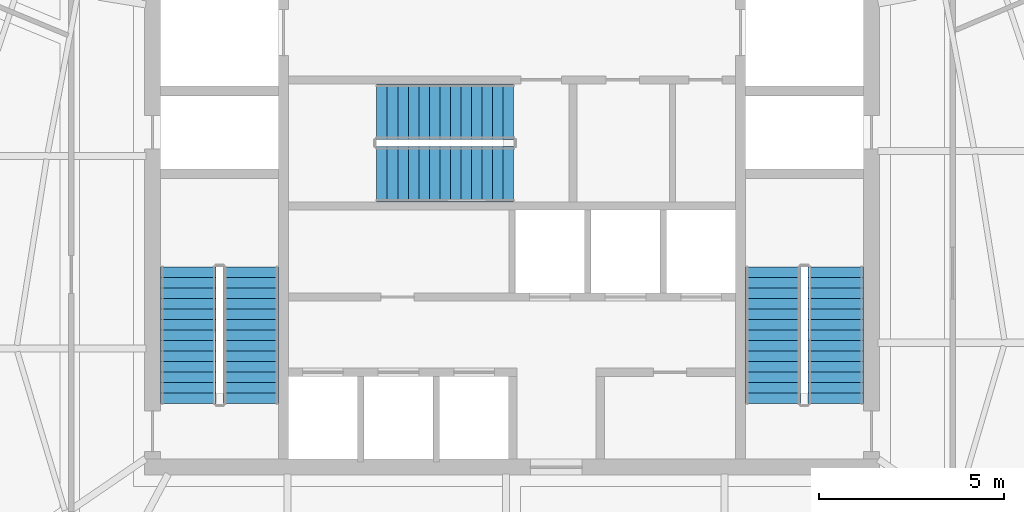
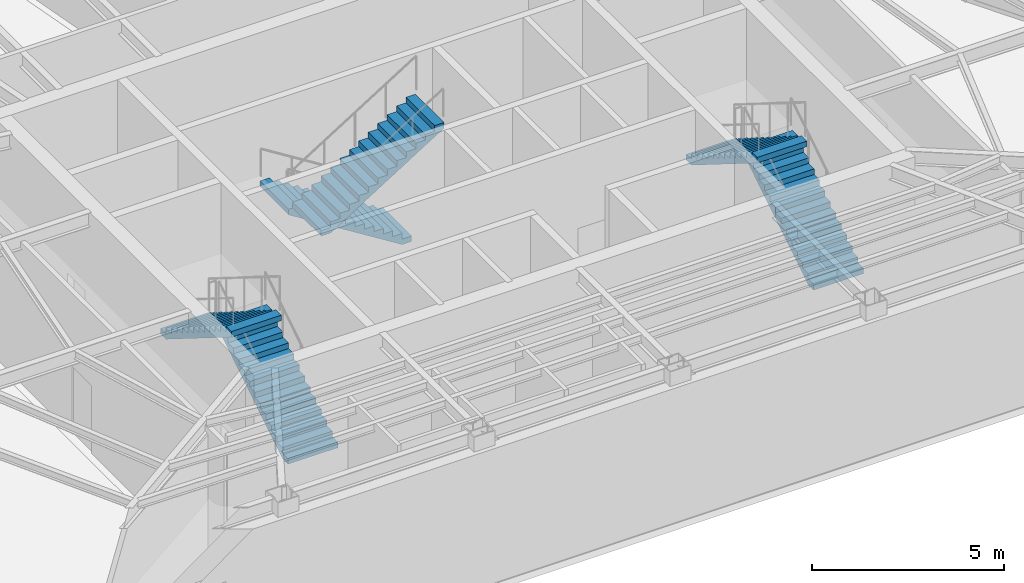
# One storey, part 12 of 14: 6 stair flights, 3 elements without a shape of their own.
"""IFC4 building model written with IfcOpenShell, lengths in metres."""

from ifc_helpers import new_model, si_unit, direction, frame, origin, place, context, subcontext, project, spatial, polyline, outline, extrude, material, type_object, element, aggregate, save


model = new_model("IFC4")

# Units and contexts
model_context = context("Model", 3, precision=1e-05, world=origin(), true_north=direction((0.0, 1.0)))
body_context = subcontext(model_context, "Body", "Model", "MODEL_VIEW")
ifc_project = project(units=[si_unit("LENGTHUNIT", "METRE"), si_unit("AREAUNIT", "SQUARE_METRE"), si_unit("VOLUMEUNIT", "CUBIC_METRE"), si_unit("PLANEANGLEUNIT", "RADIAN"), si_unit("MASSUNIT", "GRAM", prefix="KILO")], contexts=[model_context])

# Site, building, storey
site_placement = place(None, origin())
site = spatial("IfcSite", under=ifc_project, at=site_placement, CompositionType="ELEMENT")
building_placement = place(site_placement, origin())
building = spatial("IfcBuilding", under=site, at=building_placement, Name="Kavelnor Concourse Tower", CompositionType="ELEMENT")
storey_placement = place(building_placement, frame((0.0, 0.0, 160.0)))
storey = spatial("IfcBuildingStorey", under=building, at=storey_placement, Name="L40", CompositionType="ELEMENT", Elevation=160.0)

# Stair, stair flights
ifc_material = material(Name="Concrete C40/50", Category="concrete")
stair_type = type_object("IfcStairType", Name="STR-CORE-1500", PredefinedType="HALF_TURN_STAIR", material=ifc_material)
stair_1_placement = place(storey_placement, origin())
stair_1 = element("IfcStair", 1, at=stair_1_placement, inside=storey, type_object=stair_type, Name="L40 ST1", PredefinedType="HALF_TURN_STAIR")
stair_flight_type = type_object("IfcStairFlightType", Name="STR-FLIGHT-1500", PredefinedType="STRAIGHT", material=ifc_material)
stair_flight_1_placement = place(storey_placement, frame((30.929931640625, 11.10009765625, 0.0), z_axis=(0.0, 0.0, 1.0), x_axis=(0.0, 1.0, 0.0)))
stair_flight_1 = element("IfcStairFlight", 2, at=stair_flight_1_placement, type_object=stair_flight_type, Name="ST1 flight 1", NumberOfRisers=14, NumberOfTreads=13, PredefinedType="STRAIGHT", RiserHeight=0.178571429, TreadLength=0.285, context=body_context, shape_type="SweptSolid", body=[
    extrude(outline(polyline([(0.0, 0.0), (0.0, 0.178466796875), (0.284912109375, 0.178466796875), (0.284912109375, 0.357177734375), (0.570068359375, 0.357177734375), (0.570068359375, 0.53564453125), (0.85498046875, 0.53564453125), (0.85498046875, 0.71435546875), (1.139892578125, 0.71435546875), (1.139892578125, 0.892822265625), (1.425048828125, 0.892822265625), (1.425048828125, 1.071533203125), (1.7099609375, 1.071533203125), (1.7099609375, 1.25), (1.9951171875, 1.25), (1.9951171875, 1.428466796875), (2.280029296875, 1.428466796875), (2.280029296875, 1.607177734375), (2.56494140625, 1.607177734375), (2.56494140625, 1.78564453125), (2.85009765625, 1.78564453125), (2.85009765625, 1.96435546875), (3.135009765625, 1.96435546875), (3.135009765625, 2.142822265625), (3.419921875, 2.142822265625), (3.419921875, 2.321533203125), (3.705078125, 2.321533203125), (3.705078125, 2.5), (3.705078125, 2.14453125), (0.2822265625, 0.0), (0.0, 0.0)])), frame((0.0, 0.75, 0.0), z_axis=(0.0, -1.0, 0.0), x_axis=(1.0, 0.0, 0.0)), (0.0, 0.0, 1.0), 1.5),
])
stair_flight_2_placement = place(storey_placement, frame((29.22998046875, 14.804931640625, 2.5), z_axis=(0.0, 0.0, 1.0), x_axis=(0.0, -1.0, 0.0)))
stair_flight_2 = element("IfcStairFlight", 3, at=stair_flight_2_placement, type_object=stair_flight_type, Name="ST1 flight 2", NumberOfRisers=14, NumberOfTreads=13, PredefinedType="STRAIGHT", RiserHeight=0.178571429, TreadLength=0.285, context=body_context, shape_type="SweptSolid", body=[
    extrude(outline(polyline([(0.0, 0.0), (0.0, 0.178466796875), (0.284912109375, 0.178466796875), (0.284912109375, 0.357177734375), (0.570068359375, 0.357177734375), (0.570068359375, 0.53564453125), (0.85498046875, 0.53564453125), (0.85498046875, 0.71435546875), (1.139892578125, 0.71435546875), (1.139892578125, 0.892822265625), (1.425048828125, 0.892822265625), (1.425048828125, 1.071533203125), (1.7099609375, 1.071533203125), (1.7099609375, 1.25), (1.9951171875, 1.25), (1.9951171875, 1.428466796875), (2.280029296875, 1.428466796875), (2.280029296875, 1.607177734375), (2.56494140625, 1.607177734375), (2.56494140625, 1.78564453125), (2.85009765625, 1.78564453125), (2.85009765625, 1.96435546875), (3.135009765625, 1.96435546875), (3.135009765625, 2.142822265625), (3.419921875, 2.142822265625), (3.419921875, 2.321533203125), (3.705078125, 2.321533203125), (3.705078125, 2.5), (3.705078125, 2.14453125), (0.2822265625, 0.0), (0.0, 0.0)])), frame((0.0, 0.75, 0.0), z_axis=(0.0, -1.0, 0.0), x_axis=(1.0, 0.0, 0.0)), (0.0, 0.0, 1.0), 1.5),
])
aggregate(stair_1, [stair_flight_1, stair_flight_2])

stair_2_placement = place(storey_placement, origin())
stair_2 = element("IfcStair", 4, at=stair_2_placement, inside=storey, type_object=stair_type, Name="L40 ST2", PredefinedType="HALF_TURN_STAIR")
stair_flight_3_placement = place(storey_placement, frame((46.77001953125, 11.10009765625, 0.0), z_axis=(0.0, 0.0, 1.0), x_axis=(0.0, 1.0, 0.0)))
stair_flight_3 = element("IfcStairFlight", 5, at=stair_flight_3_placement, type_object=stair_flight_type, Name="ST2 flight 1", NumberOfRisers=14, NumberOfTreads=13, PredefinedType="STRAIGHT", RiserHeight=0.178571429, TreadLength=0.285, context=body_context, shape_type="SweptSolid", body=[
    extrude(outline(polyline([(0.0, 0.0), (0.0, 0.178466796875), (0.284912109375, 0.178466796875), (0.284912109375, 0.357177734375), (0.570068359375, 0.357177734375), (0.570068359375, 0.53564453125), (0.85498046875, 0.53564453125), (0.85498046875, 0.71435546875), (1.139892578125, 0.71435546875), (1.139892578125, 0.892822265625), (1.425048828125, 0.892822265625), (1.425048828125, 1.071533203125), (1.7099609375, 1.071533203125), (1.7099609375, 1.25), (1.9951171875, 1.25), (1.9951171875, 1.428466796875), (2.280029296875, 1.428466796875), (2.280029296875, 1.607177734375), (2.56494140625, 1.607177734375), (2.56494140625, 1.78564453125), (2.85009765625, 1.78564453125), (2.85009765625, 1.96435546875), (3.135009765625, 1.96435546875), (3.135009765625, 2.142822265625), (3.419921875, 2.142822265625), (3.419921875, 2.321533203125), (3.705078125, 2.321533203125), (3.705078125, 2.5), (3.705078125, 2.14453125), (0.2822265625, 0.0), (0.0, 0.0)])), frame((0.0, 0.75, 0.0), z_axis=(0.0, -1.0, 0.0), x_axis=(1.0, 0.0, 0.0)), (0.0, 0.0, 1.0), 1.5),
])
stair_flight_4_placement = place(storey_placement, frame((45.070068359375, 14.804931640625, 2.5), z_axis=(0.0, 0.0, 1.0), x_axis=(0.0, -1.0, 0.0)))
stair_flight_4 = element("IfcStairFlight", 6, at=stair_flight_4_placement, type_object=stair_flight_type, Name="ST2 flight 2", NumberOfRisers=14, NumberOfTreads=13, PredefinedType="STRAIGHT", RiserHeight=0.178571429, TreadLength=0.285, context=body_context, shape_type="SweptSolid", body=[
    extrude(outline(polyline([(0.0, 0.0), (0.0, 0.178466796875), (0.284912109375, 0.178466796875), (0.284912109375, 0.357177734375), (0.570068359375, 0.357177734375), (0.570068359375, 0.53564453125), (0.85498046875, 0.53564453125), (0.85498046875, 0.71435546875), (1.139892578125, 0.71435546875), (1.139892578125, 0.892822265625), (1.425048828125, 0.892822265625), (1.425048828125, 1.071533203125), (1.7099609375, 1.071533203125), (1.7099609375, 1.25), (1.9951171875, 1.25), (1.9951171875, 1.428466796875), (2.280029296875, 1.428466796875), (2.280029296875, 1.607177734375), (2.56494140625, 1.607177734375), (2.56494140625, 1.78564453125), (2.85009765625, 1.78564453125), (2.85009765625, 1.96435546875), (3.135009765625, 1.96435546875), (3.135009765625, 2.142822265625), (3.419921875, 2.142822265625), (3.419921875, 2.321533203125), (3.705078125, 2.321533203125), (3.705078125, 2.5), (3.705078125, 2.14453125), (0.2822265625, 0.0), (0.0, 0.0)])), frame((0.0, 0.75, 0.0), z_axis=(0.0, -1.0, 0.0), x_axis=(1.0, 0.0, 0.0)), (0.0, 0.0, 1.0), 1.5),
])
aggregate(stair_2, [stair_flight_3, stair_flight_4])

stair_3_placement = place(storey_placement, origin())
stair_3 = element("IfcStair", 7, at=stair_3_placement, inside=storey, type_object=stair_type, Name="L40 ST3", PredefinedType="HALF_TURN_STAIR")
stair_flight_5_placement = place(storey_placement, frame((38.0400390625, 19.010009765625, 0.0), z_axis=(0.0, 0.0, 1.0), x_axis=(-1.0, 0.0, 0.0)))
stair_flight_5 = element("IfcStairFlight", 8, at=stair_flight_5_placement, type_object=stair_flight_type, Name="ST3 flight 1", NumberOfRisers=14, NumberOfTreads=13, PredefinedType="STRAIGHT", RiserHeight=0.178571429, TreadLength=0.285, context=body_context, shape_type="SweptSolid", body=[
    extrude(outline(polyline([(0.0, 0.0), (0.0, 0.178466796875), (0.284912109375, 0.178466796875), (0.284912109375, 0.357177734375), (0.570068359375, 0.357177734375), (0.570068359375, 0.53564453125), (0.85498046875, 0.53564453125), (0.85498046875, 0.71435546875), (1.139892578125, 0.71435546875), (1.139892578125, 0.892822265625), (1.425048828125, 0.892822265625), (1.425048828125, 1.071533203125), (1.7099609375, 1.071533203125), (1.7099609375, 1.25), (1.9951171875, 1.25), (1.9951171875, 1.428466796875), (2.280029296875, 1.428466796875), (2.280029296875, 1.607177734375), (2.56494140625, 1.607177734375), (2.56494140625, 1.78564453125), (2.85009765625, 1.78564453125), (2.85009765625, 1.96435546875), (3.135009765625, 1.96435546875), (3.135009765625, 2.142822265625), (3.419921875, 2.142822265625), (3.419921875, 2.321533203125), (3.705078125, 2.321533203125), (3.705078125, 2.5), (3.705078125, 2.14453125), (0.2822265625, 0.0), (0.0, 0.0)])), frame((0.0, 0.75, 0.0), z_axis=(0.0, -1.0, 0.0), x_axis=(1.0, 0.0, 0.0)), (0.0, 0.0, 1.0), 1.5),
])
stair_flight_6_placement = place(storey_placement, frame((34.3349609375, 17.31005859375, 2.5), z_axis=(0.0, 0.0, 1.0), x_axis=(1.0, 0.0, 0.0)))
stair_flight_6 = element("IfcStairFlight", 9, at=stair_flight_6_placement, type_object=stair_flight_type, Name="ST3 flight 2", NumberOfRisers=14, NumberOfTreads=13, PredefinedType="STRAIGHT", RiserHeight=0.178571429, TreadLength=0.285, context=body_context, shape_type="SweptSolid", body=[
    extrude(outline(polyline([(0.0, 0.0), (0.0, 0.178466796875), (0.284912109375, 0.178466796875), (0.284912109375, 0.357177734375), (0.570068359375, 0.357177734375), (0.570068359375, 0.53564453125), (0.85498046875, 0.53564453125), (0.85498046875, 0.71435546875), (1.139892578125, 0.71435546875), (1.139892578125, 0.892822265625), (1.425048828125, 0.892822265625), (1.425048828125, 1.071533203125), (1.7099609375, 1.071533203125), (1.7099609375, 1.25), (1.9951171875, 1.25), (1.9951171875, 1.428466796875), (2.280029296875, 1.428466796875), (2.280029296875, 1.607177734375), (2.56494140625, 1.607177734375), (2.56494140625, 1.78564453125), (2.85009765625, 1.78564453125), (2.85009765625, 1.96435546875), (3.135009765625, 1.96435546875), (3.135009765625, 2.142822265625), (3.419921875, 2.142822265625), (3.419921875, 2.321533203125), (3.705078125, 2.321533203125), (3.705078125, 2.5), (3.705078125, 2.14453125), (0.2822265625, 0.0), (0.0, 0.0)])), frame((0.0, 0.75, 0.0), z_axis=(0.0, -1.0, 0.0), x_axis=(1.0, 0.0, 0.0)), (0.0, 0.0, 1.0), 1.5),
])
aggregate(stair_3, [stair_flight_5, stair_flight_6])

save(model, "model.ifc")
